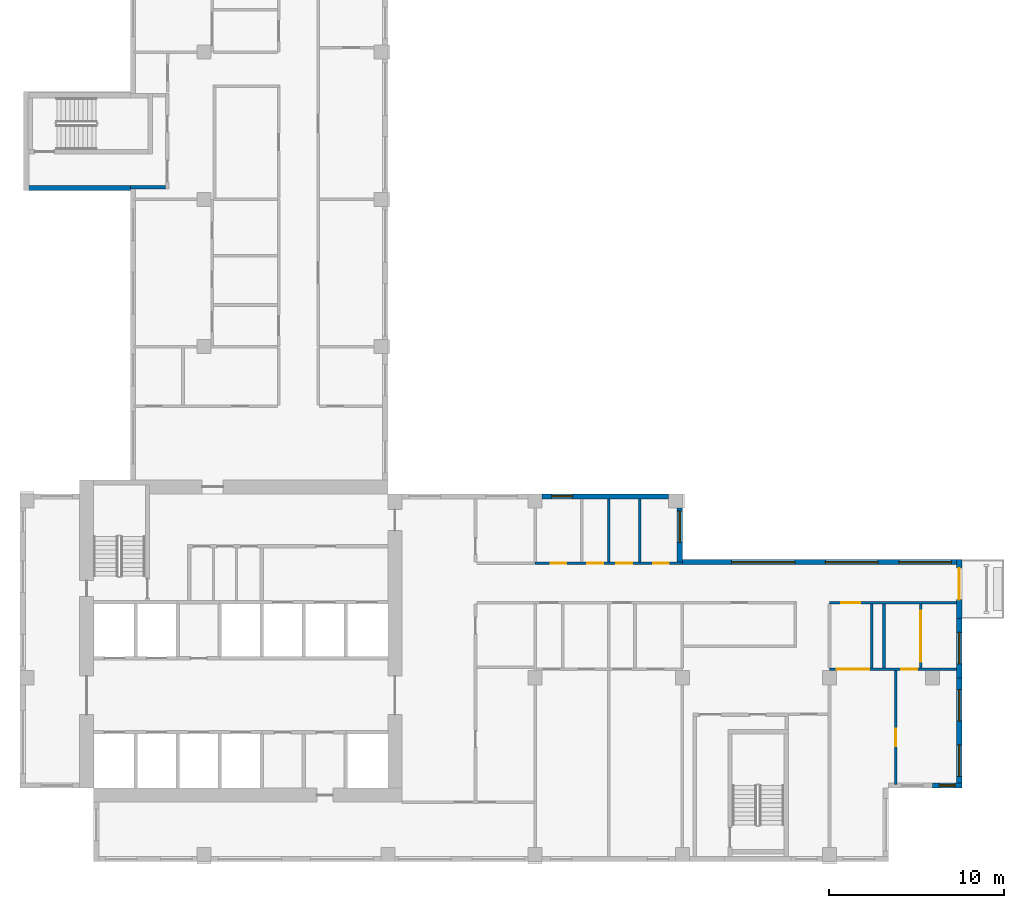
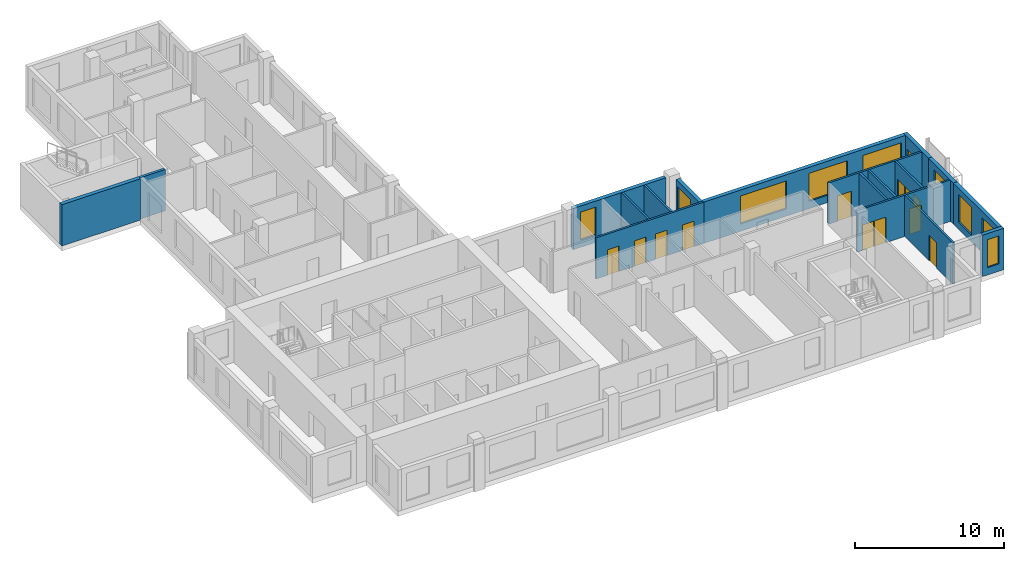
# One storey, part 5 of 11: 18 walls, 13 doors, 9 windows, 22 openings.
"""IFC4 building model written with IfcOpenShell, lengths in metres."""

from ifc_helpers import new_model, si_unit, direction, frame, frame_2d, origin, place, context, subcontext, project, spatial, rectangle, extrude, source, transform, mapped, material, layer, layer_set, type_object, element, fill, save


model = new_model("IFC4")

# Units and contexts
model_context = context("Model", 3, precision=1e-05, world=origin(), true_north=direction((0.0, 1.0)))
body_context = subcontext(model_context, "Body", "Model", "MODEL_VIEW")
ifc_project = project(units=[si_unit("LENGTHUNIT", "METRE"), si_unit("AREAUNIT", "SQUARE_METRE"), si_unit("VOLUMEUNIT", "CUBIC_METRE"), si_unit("PLANEANGLEUNIT", "RADIAN"), si_unit("MASSUNIT", "GRAM", prefix="KILO")], contexts=[model_context])

# Site, building, storey
site_placement = place(None, origin())
site = spatial("IfcSite", under=ifc_project, at=site_placement, CompositionType="ELEMENT")
building_placement = place(site_placement, origin())
building = spatial("IfcBuilding", under=site, at=building_placement, Name="Aurelian Terraces", CompositionType="ELEMENT")
storey_placement = place(building_placement, frame((0.0, 0.0, 265.2)))
storey = spatial("IfcBuildingStorey", under=building, at=storey_placement, Name="L61", CompositionType="ELEMENT", Elevation=265.2)

# Wall, opening, window
ifc_material_1 = material(Name="Terracotta rainscreen cladding", Category="masonry")
ifc_layer_1 = layer(ifc_material_1, 0.3)
ifc_layer_set_1 = layer_set([ifc_layer_1], Name="EW-300")
wall_type_1 = type_object("IfcWallType", Name="EW-300", PredefinedType="STANDARD", material=ifc_layer_set_1)
shared_shape_1 = source(origin(), body_context, "Body", "SweptSolid", [
    extrude(rectangle(XDim=1.68, YDim=0.3, at=frame_2d((0.84, 0.0))), origin(), (0.0, 0.0, 1.0), 3.4),
])
wall_1_placement = place(storey_placement, frame((52.08, 4.35, 0.0), z_axis=(0.0, 0.0, 1.0), x_axis=(1.0, 0.0, 0.0)))
wall_1 = element("IfcWall", 1, at=wall_1_placement, inside=storey, type_object=wall_type_1, Name="External wall L61 F03.9", PredefinedType="STANDARD", context=body_context, shape_type="MappedRepresentation", body=[
    mapped(shared_shape_1, transform((0.0, 0.0, 0.0), scale=1.0)),
])
shared_shape_2 = source(origin(), body_context, "Body", "SweptSolid", [
    extrude(rectangle(XDim=0.9, YDim=2.3, at=frame_2d((0.45, 1.15))), frame((0.0, 0.16, 0.0), z_axis=(0.0, -1.0, 0.0), x_axis=(1.0, 0.0, 0.0)), (0.0, 0.0, 1.0), 0.32),
])
opening_1_placement = place(wall_1_placement, frame((0.39, 0.0, 0.6)))
opening_1 = element("IfcOpeningElement", 2, at=opening_1_placement, cuts=wall_1, Name="Opening W0923", PredefinedType="OPENING", context=body_context, shape_type="MappedRepresentation", body=[
    mapped(shared_shape_2, transform((0.0, 0.0, 0.0), scale=1.0)),
])
ifc_material_2 = material(Name="Clear glazing", Category="glass")
window_type_1 = type_object("IfcWindowType", Name="W-900x2300", PartitioningType="SINGLE_PANEL", PredefinedType="WINDOW", material=ifc_material_2)
shared_shape_3 = source(origin(), body_context, "Body", "SweptSolid", [
    extrude(rectangle(XDim=0.9, YDim=2.3, at=frame_2d((0.45, 1.15))), frame((0.0, 0.03, 0.0), z_axis=(0.0, -1.0, 0.0), x_axis=(1.0, 0.0, 0.0)), (0.0, 0.0, 1.0), 0.06),
])
window_1_placement = place(opening_1_placement, origin())
window_1 = element("IfcWindow", 3, at=window_1_placement, inside=storey, type_object=window_type_1, Name="Window L61 L61-F03-09-P0", OverallHeight=2.3, OverallWidth=0.9, PartitioningType="SINGLE_PANEL", PredefinedType="WINDOW", context=body_context, shape_type="MappedRepresentation", body=[
    mapped(shared_shape_3, transform((0.0, 0.0, 0.0), scale=1.0)),
])
fill(opening_1, window_1)

# Wall
ifc_material_3 = material(Name="Concrete fc' 40 MPa", Category="concrete")
ifc_layer_2 = layer(ifc_material_3, 0.3)
ifc_layer_set_2 = layer_set([ifc_layer_2], Name="STAIR BAY WALL 300")
wall_type_2 = type_object("IfcWallType", Name="STAIR BAY WALL 300", PredefinedType="SOLIDWALL", material=ifc_layer_set_2)
shared_shape_4 = source(origin(), body_context, "Body", "SweptSolid", [
    extrude(rectangle(XDim=6.1, YDim=0.3, at=frame_2d((3.05, 0.0))), origin(), (0.0, 0.0, 1.0), 3.4),
])
wall_2_placement = place(storey_placement, frame((0.2, 38.45, 0.0), z_axis=(0.0, 0.0, 1.0), x_axis=(1.0, 0.0, 0.0)))
element("IfcWall", 4, at=wall_2_placement, inside=storey, type_object=wall_type_2, Name="Stair bay wall L61 F15.28", PredefinedType="SOLIDWALL", context=body_context, shape_type="MappedRepresentation", body=[
    mapped(shared_shape_4, transform((0.0, 0.0, 0.0), scale=1.0)),
])

# Wall, openings, windows
shared_shape_5 = source(origin(), body_context, "Body", "SweptSolid", [
    extrude(rectangle(XDim=6.3, YDim=0.3, at=frame_2d((3.15, 0.0))), origin(), (0.0, 0.0, 1.0), 3.4),
])
wall_3_placement = place(storey_placement, frame((53.61, 4.2, 0.0), z_axis=(0.0, 0.0, 1.0), x_axis=(0.0, 1.0, 0.0)))
wall_3 = element("IfcWall", 5, at=wall_3_placement, inside=storey, type_object=wall_type_1, Name="External wall L61 F04.10", PredefinedType="STANDARD", context=body_context, shape_type="MappedRepresentation", body=[
    mapped(shared_shape_5, transform((0.0, 0.0, 0.0), scale=1.0)),
])
shared_shape_6 = source(origin(), body_context, "Body", "SweptSolid", [
    extrude(rectangle(XDim=1.8, YDim=2.3, at=frame_2d((0.9, 1.15))), frame((0.0, 0.16, 0.0), z_axis=(0.0, -1.0, 0.0), x_axis=(1.0, 0.0, 0.0)), (0.0, 0.0, 1.0), 0.32),
])
opening_2_placement = place(wall_3_placement, frame((0.675, 0.0, 0.6)))
opening_2 = element("IfcOpeningElement", 6, at=opening_2_placement, cuts=wall_3, Name="Opening W1823", PredefinedType="OPENING", context=body_context, shape_type="MappedRepresentation", body=[
    mapped(shared_shape_6, transform((0.0, 0.0, 0.0), scale=1.0)),
])
opening_3_placement = place(wall_3_placement, frame((3.825, 0.0, 0.6)))
opening_3 = element("IfcOpeningElement", 7, at=opening_3_placement, cuts=wall_3, Name="Opening W1823", PredefinedType="OPENING", context=body_context, shape_type="MappedRepresentation", body=[
    mapped(shared_shape_6, transform((0.0, 0.0, 0.0), scale=1.0)),
])
window_type_2 = type_object("IfcWindowType", Name="W-1800x2300", PartitioningType="SINGLE_PANEL", PredefinedType="WINDOW", material=ifc_material_2)
shared_shape_7 = source(origin(), body_context, "Body", "SweptSolid", [
    extrude(rectangle(XDim=1.8, YDim=2.3, at=frame_2d((0.9, 1.15))), frame((0.0, 0.03, 0.0), z_axis=(0.0, -1.0, 0.0), x_axis=(1.0, 0.0, 0.0)), (0.0, 0.0, 1.0), 0.06),
])
window_2_placement = place(opening_2_placement, origin())
window_2 = element("IfcWindow", 8, at=window_2_placement, inside=storey, type_object=window_type_2, Name="Window L61 L61-F04-10-0", OverallHeight=2.3, OverallWidth=1.8, PartitioningType="SINGLE_PANEL", PredefinedType="WINDOW", context=body_context, shape_type="MappedRepresentation", body=[
    mapped(shared_shape_7, transform((0.0, 0.0, 0.0), scale=1.0)),
])
fill(opening_2, window_2)
window_3_placement = place(opening_3_placement, origin())
window_3 = element("IfcWindow", 9, at=window_3_placement, inside=storey, type_object=window_type_2, Name="Window L61 L61-F04-10-1", OverallHeight=2.3, OverallWidth=1.8, PartitioningType="SINGLE_PANEL", PredefinedType="WINDOW", context=body_context, shape_type="MappedRepresentation", body=[
    mapped(shared_shape_7, transform((0.0, 0.0, 0.0), scale=1.0)),
])
fill(opening_3, window_3)

# Wall, opening, window
shared_shape_8 = source(origin(), body_context, "Body", "SweptSolid", [
    extrude(rectangle(XDim=3.375, YDim=0.3, at=frame_2d((1.6875, 0.0))), origin(), (0.0, 0.0, 1.0), 3.4),
])
wall_4_placement = place(storey_placement, frame((53.61, 10.5, 0.0), z_axis=(0.0, 0.0, 1.0), x_axis=(0.0, 1.0, 0.0)))
wall_4 = element("IfcWall", 10, at=wall_4_placement, inside=storey, type_object=wall_type_1, Name="External wall L61 F04.11", PredefinedType="STANDARD", context=body_context, shape_type="MappedRepresentation", body=[
    mapped(shared_shape_8, transform((0.0, 0.0, 0.0), scale=1.0)),
])
opening_4_placement = place(wall_4_placement, frame((0.7875, 0.0, 0.6)))
opening_4 = element("IfcOpeningElement", 11, at=opening_4_placement, cuts=wall_4, Name="Opening W1823", PredefinedType="OPENING", context=body_context, shape_type="MappedRepresentation", body=[
    mapped(shared_shape_6, transform((0.0, 0.0, 0.0), scale=1.0)),
])
window_4_placement = place(opening_4_placement, origin())
window_4 = element("IfcWindow", 12, at=window_4_placement, inside=storey, type_object=window_type_2, Name="Window L61 L61-F04-11-0", OverallHeight=2.3, OverallWidth=1.8, PartitioningType="SINGLE_PANEL", PredefinedType="WINDOW", context=body_context, shape_type="MappedRepresentation", body=[
    mapped(shared_shape_7, transform((0.0, 0.0, 0.0), scale=1.0)),
])
fill(opening_4, window_4)

# Wall, opening, door
wall_5_placement = place(storey_placement, frame((53.61, 13.875, 0.0), z_axis=(0.0, 0.0, 1.0), x_axis=(0.0, 1.0, 0.0)))
wall_5 = element("IfcWall", 13, at=wall_5_placement, inside=storey, type_object=wall_type_1, Name="External wall L61 F04.12", PredefinedType="STANDARD", context=body_context, shape_type="MappedRepresentation", body=[
    mapped(shared_shape_8, transform((0.0, 0.0, 0.0), scale=1.0)),
])
shared_shape_9 = source(origin(), body_context, "Body", "SweptSolid", [
    extrude(rectangle(XDim=1.8, YDim=2.4, at=frame_2d((0.9, 1.2))), frame((0.0, 0.16, 0.0), z_axis=(0.0, -1.0, 0.0), x_axis=(1.0, 0.0, 0.0)), (0.0, 0.0, 1.0), 0.32),
])
opening_5_placement = place(wall_5_placement, frame((1.0875, 0.0, 0.0)))
opening_5 = element("IfcOpeningElement", 14, at=opening_5_placement, cuts=wall_5, Name="Opening 86101", PredefinedType="OPENING", context=body_context, shape_type="MappedRepresentation", body=[
    mapped(shared_shape_9, transform((0.0, 0.0, 0.0), scale=1.0)),
])
door_type_1 = type_object("IfcDoorType", Name="BD-1800x2400", OperationType="SLIDING_TO_LEFT", PredefinedType="DOOR", material=ifc_material_2)
shared_shape_10 = source(origin(), body_context, "Body", "SweptSolid", [
    extrude(rectangle(XDim=1.8, YDim=2.4, at=frame_2d((0.9, 1.2))), frame((0.0, 0.025, 0.0), z_axis=(0.0, -1.0, 0.0), x_axis=(1.0, 0.0, 0.0)), (0.0, 0.0, 1.0), 0.05),
])
door_1_placement = place(opening_5_placement, origin())
door_1 = element("IfcDoor", 15, at=door_1_placement, inside=storey, type_object=door_type_1, Name="Balcony door L61 F04.12", OperationType="SLIDING_TO_LEFT", OverallHeight=2.4, OverallWidth=1.8, PredefinedType="DOOR", context=body_context, shape_type="MappedRepresentation", body=[
    mapped(shared_shape_10, transform((0.0, 0.0, 0.0), scale=1.0)),
])
fill(opening_5, door_1)

# Wall, openings, windows
shared_shape_11 = source(origin(), body_context, "Body", "SweptSolid", [
    extrude(rectangle(XDim=15.96, YDim=0.3, at=frame_2d((7.98, 0.0))), origin(), (0.0, 0.0, 1.0), 3.4),
])
wall_6_placement = place(storey_placement, frame((53.76, 17.1, 0.0), z_axis=(0.0, 0.0, 1.0), x_axis=(-1.0, 0.0, 0.0)))
wall_6 = element("IfcWall", 16, at=wall_6_placement, inside=storey, type_object=wall_type_1, Name="External wall L61 F05.13", PredefinedType="STANDARD", context=body_context, shape_type="MappedRepresentation", body=[
    mapped(shared_shape_11, transform((0.0, 0.0, 0.0), scale=1.0)),
])
shared_shape_12 = source(origin(), body_context, "Body", "SweptSolid", [
    extrude(rectangle(XDim=3.0, YDim=2.3, at=frame_2d((1.5, 1.15))), frame((0.0, 0.16, 0.0), z_axis=(0.0, -1.0, 0.0), x_axis=(1.0, 0.0, 0.0)), (0.0, 0.0, 1.0), 0.32),
])
opening_6_placement = place(wall_6_placement, frame((0.6, 0.0, 0.6)))
opening_6 = element("IfcOpeningElement", 17, at=opening_6_placement, cuts=wall_6, Name="Opening W3023", PredefinedType="OPENING", context=body_context, shape_type="MappedRepresentation", body=[
    mapped(shared_shape_12, transform((0.0, 0.0, 0.0), scale=1.0)),
])
opening_7_placement = place(wall_6_placement, frame((4.8, 0.0, 0.6)))
opening_7 = element("IfcOpeningElement", 18, at=opening_7_placement, cuts=wall_6, Name="Opening W3023", PredefinedType="OPENING", context=body_context, shape_type="MappedRepresentation", body=[
    mapped(shared_shape_12, transform((0.0, 0.0, 0.0), scale=1.0)),
])
shared_shape_13 = source(origin(), body_context, "Body", "SweptSolid", [
    extrude(rectangle(XDim=3.6, YDim=2.3, at=frame_2d((1.8, 1.15))), frame((0.0, 0.16, 0.0), z_axis=(0.0, -1.0, 0.0), x_axis=(1.0, 0.0, 0.0)), (0.0, 0.0, 1.0), 0.32),
])
opening_8_placement = place(wall_6_placement, frame((9.54, 0.0, 0.6)))
opening_8 = element("IfcOpeningElement", 19, at=opening_8_placement, cuts=wall_6, Name="Opening W3623", PredefinedType="OPENING", context=body_context, shape_type="MappedRepresentation", body=[
    mapped(shared_shape_13, transform((0.0, 0.0, 0.0), scale=1.0)),
])
window_type_3 = type_object("IfcWindowType", Name="W-3600x2300", PartitioningType="SINGLE_PANEL", PredefinedType="WINDOW", material=ifc_material_2)
shared_shape_14 = source(origin(), body_context, "Body", "SweptSolid", [
    extrude(rectangle(XDim=3.6, YDim=2.3, at=frame_2d((1.8, 1.15))), frame((0.0, 0.03, 0.0), z_axis=(0.0, -1.0, 0.0), x_axis=(1.0, 0.0, 0.0)), (0.0, 0.0, 1.0), 0.06),
])
window_5_placement = place(opening_8_placement, origin())
window_5 = element("IfcWindow", 20, at=window_5_placement, inside=storey, type_object=window_type_3, Name="Window L61 L61-F05-13-2", OverallHeight=2.3, OverallWidth=3.6, PartitioningType="SINGLE_PANEL", PredefinedType="WINDOW", context=body_context, shape_type="MappedRepresentation", body=[
    mapped(shared_shape_14, transform((0.0, 0.0, 0.0), scale=1.0)),
])
fill(opening_8, window_5)
window_type_4 = type_object("IfcWindowType", Name="W-3000x2300", PartitioningType="SINGLE_PANEL", PredefinedType="WINDOW", material=ifc_material_2)
shared_shape_15 = source(origin(), body_context, "Body", "SweptSolid", [
    extrude(rectangle(XDim=3.0, YDim=2.3, at=frame_2d((1.5, 1.15))), frame((0.0, 0.03, 0.0), z_axis=(0.0, -1.0, 0.0), x_axis=(1.0, 0.0, 0.0)), (0.0, 0.0, 1.0), 0.06),
])
window_6_placement = place(opening_6_placement, origin())
window_6 = element("IfcWindow", 21, at=window_6_placement, inside=storey, type_object=window_type_4, Name="Window L61 L61-F05-13-0", OverallHeight=2.3, OverallWidth=3.0, PartitioningType="SINGLE_PANEL", PredefinedType="WINDOW", context=body_context, shape_type="MappedRepresentation", body=[
    mapped(shared_shape_15, transform((0.0, 0.0, 0.0), scale=1.0)),
])
fill(opening_6, window_6)
window_7_placement = place(opening_7_placement, origin())
window_7 = element("IfcWindow", 22, at=window_7_placement, inside=storey, type_object=window_type_4, Name="Window L61 L61-F05-13-1", OverallHeight=2.3, OverallWidth=3.0, PartitioningType="SINGLE_PANEL", PredefinedType="WINDOW", context=body_context, shape_type="MappedRepresentation", body=[
    mapped(shared_shape_15, transform((0.0, 0.0, 0.0), scale=1.0)),
])
fill(opening_7, window_7)

# Wall, opening, window
shared_shape_16 = source(origin(), body_context, "Body", "SweptSolid", [
    extrude(rectangle(XDim=7.2, YDim=0.3, at=frame_2d((3.6, 0.0))), origin(), (0.0, 0.0, 1.0), 3.4),
])
wall_7_placement = place(storey_placement, frame((37.0, 20.85, 0.0), z_axis=(0.0, 0.0, 1.0), x_axis=(-1.0, 0.0, 0.0)))
wall_7 = element("IfcWall", 23, at=wall_7_placement, inside=storey, type_object=wall_type_1, Name="External wall L61 F07.15", PredefinedType="STANDARD", context=body_context, shape_type="MappedRepresentation", body=[
    mapped(shared_shape_16, transform((0.0, 0.0, 0.0), scale=1.0)),
])
shared_shape_17 = source(origin(), body_context, "Body", "SweptSolid", [
    extrude(rectangle(XDim=1.2, YDim=2.3, at=frame_2d((0.6, 1.15))), frame((0.0, 0.16, 0.0), z_axis=(0.0, -1.0, 0.0), x_axis=(1.0, 0.0, 0.0)), (0.0, 0.0, 1.0), 0.32),
])
opening_9_placement = place(wall_7_placement, frame((5.454, 0.0, 0.6)))
opening_9 = element("IfcOpeningElement", 24, at=opening_9_placement, cuts=wall_7, Name="Opening W1223", PredefinedType="OPENING", context=body_context, shape_type="MappedRepresentation", body=[
    mapped(shared_shape_17, transform((0.0, 0.0, 0.0), scale=1.0)),
])
window_type_5 = type_object("IfcWindowType", Name="W-1200x2300", PartitioningType="SINGLE_PANEL", PredefinedType="WINDOW", material=ifc_material_2)
shared_shape_18 = source(origin(), body_context, "Body", "SweptSolid", [
    extrude(rectangle(XDim=1.2, YDim=2.3, at=frame_2d((0.6, 1.15))), frame((0.0, 0.03, 0.0), z_axis=(0.0, -1.0, 0.0), x_axis=(1.0, 0.0, 0.0)), (0.0, 0.0, 1.0), 0.06),
])
window_8_placement = place(opening_9_placement, origin())
window_8 = element("IfcWindow", 25, at=window_8_placement, inside=storey, type_object=window_type_5, Name="Window L61 L61-F07-15-1", OverallHeight=2.3, OverallWidth=1.2, PartitioningType="SINGLE_PANEL", PredefinedType="WINDOW", context=body_context, shape_type="MappedRepresentation", body=[
    mapped(shared_shape_18, transform((0.0, 0.0, 0.0), scale=1.0)),
])
fill(opening_9, window_8)

shared_shape_19 = source(origin(), body_context, "Body", "SweptSolid", [
    extrude(rectangle(XDim=3.1, YDim=0.3, at=frame_2d((1.55, 0.0))), origin(), (0.0, 0.0, 1.0), 3.4),
])
wall_8_placement = place(storey_placement, frame((37.65, 17.1, 0.0), z_axis=(0.0, 0.0, 1.0), x_axis=(0.0, 1.0, 0.0)))
wall_8 = element("IfcWall", 26, at=wall_8_placement, inside=storey, type_object=wall_type_1, Name="External wall L61 F06.14", PredefinedType="STANDARD", context=body_context, shape_type="MappedRepresentation", body=[
    mapped(shared_shape_19, transform((0.0, 0.0, 0.0), scale=1.0)),
])
opening_10_placement = place(wall_8_placement, frame((1.125, 0.0, 0.6)))
opening_10 = element("IfcOpeningElement", 27, at=opening_10_placement, cuts=wall_8, Name="Opening W1823", PredefinedType="OPENING", context=body_context, shape_type="MappedRepresentation", body=[
    mapped(shared_shape_6, transform((0.0, 0.0, 0.0), scale=1.0)),
])
window_9_placement = place(opening_10_placement, origin())
window_9 = element("IfcWindow", 28, at=window_9_placement, inside=storey, type_object=window_type_2, Name="Window L61 L61-F06-14-0", OverallHeight=2.3, OverallWidth=1.8, PartitioningType="SINGLE_PANEL", PredefinedType="WINDOW", context=body_context, shape_type="MappedRepresentation", body=[
    mapped(shared_shape_7, transform((0.0, 0.0, 0.0), scale=1.0)),
])
fill(opening_10, window_9)

# Walls
ifc_material_4 = material(Name="Gypsum board on steel studs", Category="steel")
ifc_layer_3 = layer(ifc_material_4, 0.2)
ifc_layer_set_3 = layer_set([ifc_layer_3], Name="Core partition 200")
wall_type_3 = type_object("IfcWallType", Name="Core partition 200", PredefinedType="PARTITIONING", material=ifc_layer_set_3)
shared_shape_20 = source(origin(), body_context, "Body", "SweptSolid", [
    extrude(rectangle(XDim=2.0, YDim=0.2, at=frame_2d((1.0, 0.0))), origin(), (0.0, 0.0, 1.0), 3.4),
])
wall_9_placement = place(storey_placement, frame((6.3, 38.5, 0.0), z_axis=(0.0, 0.0, 1.0), x_axis=(1.0, 0.0, 0.0)))
element("IfcWall", 29, at=wall_9_placement, inside=storey, type_object=wall_type_3, Name="L61 core wall ST-S3-VW", PredefinedType="PARTITIONING", context=body_context, shape_type="MappedRepresentation", body=[
    mapped(shared_shape_20, transform((0.0, 0.0, 0.0), scale=1.0)),
])
ifc_layer_4 = layer(ifc_material_4, 0.15)
ifc_layer_set_4 = layer_set([ifc_layer_4], Name="Partition 150")
wall_type_4 = type_object("IfcWallType", Name="Partition 150", PredefinedType="PARTITIONING", material=ifc_layer_set_4)
shared_shape_21 = source(origin(), body_context, "Body", "SweptSolid", [
    extrude(rectangle(XDim=3.6, YDim=0.15, at=frame_2d((1.8, 0.0))), origin(), (0.0, 0.0, 1.0), 3.4),
])
wall_10_placement = place(storey_placement, frame((35.3634, 20.7, 0.0), z_axis=(0.0, 0.0, 1.0), x_axis=(0.0, -1.0, 0.0)))
element("IfcWall", 30, at=wall_10_placement, inside=storey, type_object=wall_type_4, Name="Partition", PredefinedType="PARTITIONING", context=body_context, shape_type="MappedRepresentation", body=[
    mapped(shared_shape_21, transform((0.0, 0.0, 0.0), scale=1.0)),
])
ifc_layer_5 = layer(ifc_material_4, 0.15)
ifc_layer_set_5 = layer_set([ifc_layer_5], Name="Fire partition 150")
wall_type_5 = type_object("IfcWallType", Name="Fire partition 150", PredefinedType="PARTITIONING", material=ifc_layer_set_5)
wall_11_placement = place(storey_placement, frame((33.6, 17.1, 0.0), z_axis=(0.0, 0.0, 1.0), x_axis=(0.0, 1.0, 0.0)))
element("IfcWall", 31, at=wall_11_placement, inside=storey, type_object=wall_type_5, Name="Party wall", PredefinedType="PARTITIONING", context=body_context, shape_type="MappedRepresentation", body=[
    mapped(shared_shape_21, transform((0.0, 0.0, 0.0), scale=1.0)),
])

# Wall, openings, doors
shared_shape_22 = source(origin(), body_context, "Body", "SweptSolid", [
    extrude(rectangle(XDim=8.4, YDim=0.15, at=frame_2d((4.2, 0.0))), origin(), (0.0, 0.0, 1.0), 3.4),
])
wall_12_placement = place(storey_placement, frame((29.4, 17.025, 0.0), z_axis=(0.0, 0.0, 1.0), x_axis=(1.0, 0.0, 0.0)))
wall_12 = element("IfcWall", 32, at=wall_12_placement, inside=storey, type_object=wall_type_5, Name="Corridor wall", PredefinedType="PARTITIONING", context=body_context, shape_type="MappedRepresentation", body=[
    mapped(shared_shape_22, transform((0.0, 0.0, 0.0), scale=1.0)),
])
shared_shape_23 = source(origin(), body_context, "Body", "SweptSolid", [
    extrude(rectangle(XDim=0.9, YDim=2.1, at=frame_2d((0.45, 1.05))), frame((0.0, 0.085, 0.0), z_axis=(0.0, -1.0, 0.0), x_axis=(1.0, 0.0, 0.0)), (0.0, 0.0, 1.0), 0.17),
])
opening_11_placement = place(wall_12_placement, frame((0.8835, 0.0, 0.0)))
opening_11 = element("IfcOpeningElement", 33, at=opening_11_placement, cuts=wall_12, Name="Opening 761018", PredefinedType="OPENING", context=body_context, shape_type="MappedRepresentation", body=[
    mapped(shared_shape_23, transform((0.0, 0.0, 0.0), scale=1.0)),
])
opening_12_placement = place(wall_12_placement, frame((2.9835, 0.0, 0.0)))
opening_12 = element("IfcOpeningElement", 34, at=opening_12_placement, cuts=wall_12, Name="Opening 761019", PredefinedType="OPENING", context=body_context, shape_type="MappedRepresentation", body=[
    mapped(shared_shape_23, transform((0.0, 0.0, 0.0), scale=1.0)),
])
opening_13_placement = place(wall_12_placement, frame((4.6317, 0.0, 0.0)))
opening_13 = element("IfcOpeningElement", 35, at=opening_13_placement, cuts=wall_12, Name="Opening 761020", PredefinedType="OPENING", context=body_context, shape_type="MappedRepresentation", body=[
    mapped(shared_shape_23, transform((0.0, 0.0, 0.0), scale=1.0)),
])
opening_14_placement = place(wall_12_placement, frame((6.7317, 0.0, 0.0)))
opening_14 = element("IfcOpeningElement", 36, at=opening_14_placement, cuts=wall_12, Name="Opening 761021", PredefinedType="OPENING", context=body_context, shape_type="MappedRepresentation", body=[
    mapped(shared_shape_23, transform((0.0, 0.0, 0.0), scale=1.0)),
])
ifc_material_5 = material(Name="Steel door leaf", Category="steel")
door_type_2 = type_object("IfcDoorType", Name="Entrance fire door 900x2100 left", OperationType="SINGLE_SWING_LEFT", PredefinedType="DOOR", material=ifc_material_5)
shared_shape_24 = source(origin(), body_context, "Body", "SweptSolid", [
    extrude(rectangle(XDim=0.9, YDim=2.1, at=frame_2d((0.45, 1.05))), frame((0.0, 0.025, 0.0), z_axis=(0.0, -1.0, 0.0), x_axis=(1.0, 0.0, 0.0)), (0.0, 0.0, 1.0), 0.05),
])
door_2_placement = place(opening_11_placement, origin())
door_2 = element("IfcDoor", 37, at=door_2_placement, inside=storey, type_object=door_type_2, Name="Door 761018", OperationType="SINGLE_SWING_LEFT", OverallHeight=2.1, OverallWidth=0.9, PredefinedType="DOOR", context=body_context, shape_type="MappedRepresentation", body=[
    mapped(shared_shape_24, transform((0.0, 0.0, 0.0), scale=1.0)),
])
fill(opening_11, door_2)
door_type_3 = type_object("IfcDoorType", Name="Entrance fire door 900x2100 right", OperationType="SINGLE_SWING_RIGHT", PredefinedType="DOOR", material=ifc_material_5)
door_3_placement = place(opening_12_placement, origin())
door_3 = element("IfcDoor", 38, at=door_3_placement, inside=storey, type_object=door_type_3, Name="Door 761019", OperationType="SINGLE_SWING_RIGHT", OverallHeight=2.1, OverallWidth=0.9, PredefinedType="DOOR", context=body_context, shape_type="MappedRepresentation", body=[
    mapped(shared_shape_24, transform((0.0, 0.0, 0.0), scale=1.0)),
])
fill(opening_12, door_3)
door_4_placement = place(opening_13_placement, origin())
door_4 = element("IfcDoor", 39, at=door_4_placement, inside=storey, type_object=door_type_2, Name="Door 761020", OperationType="SINGLE_SWING_LEFT", OverallHeight=2.1, OverallWidth=0.9, PredefinedType="DOOR", context=body_context, shape_type="MappedRepresentation", body=[
    mapped(shared_shape_24, transform((0.0, 0.0, 0.0), scale=1.0)),
])
fill(opening_13, door_4)
door_5_placement = place(opening_14_placement, origin())
door_5 = element("IfcDoor", 40, at=door_5_placement, inside=storey, type_object=door_type_3, Name="Door 761021", OperationType="SINGLE_SWING_RIGHT", OverallHeight=2.1, OverallWidth=0.9, PredefinedType="DOOR", context=body_context, shape_type="MappedRepresentation", body=[
    mapped(shared_shape_24, transform((0.0, 0.0, 0.0), scale=1.0)),
])
fill(opening_14, door_5)

shared_shape_25 = source(origin(), body_context, "Body", "SweptSolid", [
    extrude(rectangle(XDim=7.26, YDim=0.15, at=frame_2d((3.63, 0.0))), origin(), (0.0, 0.0, 1.0), 3.4),
])
wall_13_placement = place(storey_placement, frame((53.46, 10.975, 0.0), z_axis=(0.0, 0.0, 1.0), x_axis=(-1.0, 0.0, 0.0)))
wall_13 = element("IfcWall", 41, at=wall_13_placement, inside=storey, type_object=wall_type_4, Name="Partition", PredefinedType="PARTITIONING", context=body_context, shape_type="MappedRepresentation", body=[
    mapped(shared_shape_25, transform((0.0, 0.0, 0.0), scale=1.0)),
])
opening_15_placement = place(wall_13_placement, frame((4.999, 0.0, 0.0)))
opening_15 = element("IfcOpeningElement", 42, at=opening_15_placement, cuts=wall_13, Name="Opening 761014", PredefinedType="OPENING", context=body_context, shape_type="MappedRepresentation", body=[
    mapped(shared_shape_23, transform((0.0, 0.0, 0.0), scale=1.0)),
])
opening_16_placement = place(wall_13_placement, frame((5.95, 0.0, 0.0)))
opening_16 = element("IfcOpeningElement", 43, at=opening_16_placement, cuts=wall_13, Name="Opening 761015", PredefinedType="OPENING", context=body_context, shape_type="MappedRepresentation", body=[
    mapped(shared_shape_23, transform((0.0, 0.0, 0.0), scale=1.0)),
])
opening_17_placement = place(wall_13_placement, frame((2.2639, 0.0, 0.0)))
opening_17 = element("IfcOpeningElement", 44, at=opening_17_placement, cuts=wall_13, Name="Opening 761016", PredefinedType="OPENING", context=body_context, shape_type="MappedRepresentation", body=[
    mapped(shared_shape_23, transform((0.0, 0.0, 0.0), scale=1.0)),
])
ifc_material_6 = material(Name="Timber door leaf", Category="wood")
door_type_4 = type_object("IfcDoorType", Name="Room door 900x2100 right", OperationType="SINGLE_SWING_RIGHT", PredefinedType="DOOR", material=ifc_material_6)
door_6_placement = place(opening_15_placement, origin())
door_6 = element("IfcDoor", 45, at=door_6_placement, inside=storey, type_object=door_type_4, Name="Door 761014", OperationType="SINGLE_SWING_RIGHT", OverallHeight=2.1, OverallWidth=0.9, PredefinedType="DOOR", context=body_context, shape_type="MappedRepresentation", body=[
    mapped(shared_shape_24, transform((0.0, 0.0, 0.0), scale=1.0)),
])
fill(opening_15, door_6)
door_type_5 = type_object("IfcDoorType", Name="Room door 900x2100 left", OperationType="SINGLE_SWING_LEFT", PredefinedType="DOOR", material=ifc_material_6)
door_7_placement = place(opening_16_placement, origin())
door_7 = element("IfcDoor", 46, at=door_7_placement, inside=storey, type_object=door_type_5, Name="Door 761015", OperationType="SINGLE_SWING_LEFT", OverallHeight=2.1, OverallWidth=0.9, PredefinedType="DOOR", context=body_context, shape_type="MappedRepresentation", body=[
    mapped(shared_shape_24, transform((0.0, 0.0, 0.0), scale=1.0)),
])
fill(opening_16, door_7)
door_8_placement = place(opening_17_placement, origin())
door_8 = element("IfcDoor", 47, at=door_8_placement, inside=storey, type_object=door_type_4, Name="Door 761016", OperationType="SINGLE_SWING_RIGHT", OverallHeight=2.1, OverallWidth=0.9, PredefinedType="DOOR", context=body_context, shape_type="MappedRepresentation", body=[
    mapped(shared_shape_24, transform((0.0, 0.0, 0.0), scale=1.0)),
])
fill(opening_17, door_8)

# Wall, opening, door
wall_14_placement = place(storey_placement, frame((53.46, 14.775, 0.0), z_axis=(0.0, 0.0, 1.0), x_axis=(-1.0, 0.0, 0.0)))
wall_14 = element("IfcWall", 48, at=wall_14_placement, inside=storey, type_object=wall_type_5, Name="Corridor wall", PredefinedType="PARTITIONING", context=body_context, shape_type="MappedRepresentation", body=[
    mapped(shared_shape_25, transform((0.0, 0.0, 0.0), scale=1.0)),
])
shared_shape_26 = source(origin(), body_context, "Body", "SweptSolid", [
    extrude(rectangle(XDim=1.1, YDim=2.1, at=frame_2d((0.55, 1.05))), frame((0.0, 0.085, 0.0), z_axis=(0.0, -1.0, 0.0), x_axis=(1.0, 0.0, 0.0)), (0.0, 0.0, 1.0), 0.17),
])
opening_18_placement = place(wall_14_placement, frame((5.5018, 0.0, 0.0)))
opening_18 = element("IfcOpeningElement", 49, at=opening_18_placement, cuts=wall_14, Name="Opening 761013", PredefinedType="OPENING", context=body_context, shape_type="MappedRepresentation", body=[
    mapped(shared_shape_26, transform((0.0, 0.0, 0.0), scale=1.0)),
])
door_type_6 = type_object("IfcDoorType", Name="Entrance fire door 1100x2100 left", OperationType="SINGLE_SWING_LEFT", PredefinedType="DOOR", material=ifc_material_5)
shared_shape_27 = source(origin(), body_context, "Body", "SweptSolid", [
    extrude(rectangle(XDim=1.1, YDim=2.1, at=frame_2d((0.55, 1.05))), frame((0.0, 0.025, 0.0), z_axis=(0.0, -1.0, 0.0), x_axis=(1.0, 0.0, 0.0)), (0.0, 0.0, 1.0), 0.05),
])
door_9_placement = place(opening_18_placement, origin())
door_9 = element("IfcDoor", 50, at=door_9_placement, inside=storey, type_object=door_type_6, Name="Door 761013", OperationType="SINGLE_SWING_LEFT", OverallHeight=2.1, OverallWidth=1.1, PredefinedType="DOOR", context=body_context, shape_type="MappedRepresentation", body=[
    mapped(shared_shape_27, transform((0.0, 0.0, 0.0), scale=1.0)),
])
fill(opening_18, door_9)

# Walls
shared_shape_28 = source(origin(), body_context, "Body", "SweptSolid", [
    extrude(rectangle(XDim=3.65, YDim=0.15, at=frame_2d((1.825, 0.0))), origin(), (0.0, 0.0, 1.0), 3.4),
])
for number, where, z_axis, x_axis, name in (
    (51, (48.6165, 11.05, 0.0), (0.0, 0.0, 1.0), (0.0, 1.0, 0.0), "Partition"),
    (52, (49.3093, 11.05, 0.0), (0.0, 0.0, 1.0), (0.0, 1.0, 0.0), "Partition"),
):
    element("IfcWall", number, at=place(storey_placement, frame(where, z_axis=z_axis, x_axis=x_axis)), inside=storey, type_object=wall_type_4, Name=name, PredefinedType="PARTITIONING", context=body_context, shape_type="MappedRepresentation", body=[
        mapped(shared_shape_28, transform((0.0, 0.0, 0.0), scale=1.0)),
    ])

# Wall, openings, doors
wall_15_placement = place(storey_placement, frame((51.4123, 11.05, 0.0), z_axis=(0.0, 0.0, 1.0), x_axis=(0.0, 1.0, 0.0)))
wall_15 = element("IfcWall", 53, at=wall_15_placement, inside=storey, type_object=wall_type_4, Name="Partition", PredefinedType="PARTITIONING", context=body_context, shape_type="MappedRepresentation", body=[
    mapped(shared_shape_28, transform((0.0, 0.0, 0.0), scale=1.0)),
])
opening_19_placement = place(wall_15_placement, frame((1.375, 0.0, 0.0)))
opening_19 = element("IfcOpeningElement", 54, at=opening_19_placement, cuts=wall_15, Name="Opening 761040", PredefinedType="OPENING", context=body_context, shape_type="MappedRepresentation", body=[
    mapped(shared_shape_23, transform((0.0, 0.0, 0.0), scale=1.0)),
])
opening_20_placement = place(wall_15_placement, frame((2.375, 0.0, 0.0)))
opening_20 = element("IfcOpeningElement", 55, at=opening_20_placement, cuts=wall_15, Name="Opening 761042", PredefinedType="OPENING", context=body_context, shape_type="MappedRepresentation", body=[
    mapped(shared_shape_23, transform((0.0, 0.0, 0.0), scale=1.0)),
])
opening_21_placement = place(wall_15_placement, frame((0.375, 0.0, 0.0)))
opening_21 = element("IfcOpeningElement", 56, at=opening_21_placement, cuts=wall_15, Name="Opening 761044", PredefinedType="OPENING", context=body_context, shape_type="MappedRepresentation", body=[
    mapped(shared_shape_23, transform((0.0, 0.0, 0.0), scale=1.0)),
])
door_10_placement = place(opening_19_placement, origin())
door_10 = element("IfcDoor", 57, at=door_10_placement, inside=storey, type_object=door_type_5, Name="Door 761040", OperationType="SINGLE_SWING_LEFT", OverallHeight=2.1, OverallWidth=0.9, PredefinedType="DOOR", context=body_context, shape_type="MappedRepresentation", body=[
    mapped(shared_shape_24, transform((0.0, 0.0, 0.0), scale=1.0)),
])
fill(opening_19, door_10)
door_11_placement = place(opening_20_placement, origin())
door_11 = element("IfcDoor", 58, at=door_11_placement, inside=storey, type_object=door_type_2, Name="Door 761042", OperationType="SINGLE_SWING_LEFT", OverallHeight=2.1, OverallWidth=0.9, PredefinedType="DOOR", context=body_context, shape_type="MappedRepresentation", body=[
    mapped(shared_shape_24, transform((0.0, 0.0, 0.0), scale=1.0)),
])
fill(opening_20, door_11)
door_12_placement = place(opening_21_placement, origin())
door_12 = element("IfcDoor", 59, at=door_12_placement, inside=storey, type_object=door_type_2, Name="Door 761044", OperationType="SINGLE_SWING_LEFT", OverallHeight=2.1, OverallWidth=0.9, PredefinedType="DOOR", context=body_context, shape_type="MappedRepresentation", body=[
    mapped(shared_shape_24, transform((0.0, 0.0, 0.0), scale=1.0)),
])
fill(opening_21, door_12)

# Wall, opening, door
shared_shape_29 = source(origin(), body_context, "Body", "SweptSolid", [
    extrude(rectangle(XDim=6.495, YDim=0.15, at=frame_2d((3.2475, 0.0))), origin(), (0.0, 0.0, 1.0), 3.4),
])
wall_16_placement = place(storey_placement, frame((49.98, 4.405, 0.0), z_axis=(0.0, 0.0, 1.0), x_axis=(0.0, 1.0, 0.0)))
wall_16 = element("IfcWall", 60, at=wall_16_placement, inside=storey, type_object=wall_type_4, Name="Partition", PredefinedType="PARTITIONING", context=body_context, shape_type="MappedRepresentation", body=[
    mapped(shared_shape_29, transform((0.0, 0.0, 0.0), scale=1.0)),
])
shared_shape_30 = source(origin(), body_context, "Body", "SweptSolid", [
    extrude(rectangle(XDim=1.0, YDim=2.1, at=frame_2d((0.5, 1.05))), frame((0.0, 0.085, 0.0), z_axis=(0.0, -1.0, 0.0), x_axis=(1.0, 0.0, 0.0)), (0.0, 0.0, 1.0), 0.17),
])
opening_22_placement = place(wall_16_placement, frame((2.195, 0.0, 0.0)))
opening_22 = element("IfcOpeningElement", 61, at=opening_22_placement, cuts=wall_16, Name="Opening 761017", PredefinedType="OPENING", context=body_context, shape_type="MappedRepresentation", body=[
    mapped(shared_shape_30, transform((0.0, 0.0, 0.0), scale=1.0)),
])
door_type_7 = type_object("IfcDoorType", Name="Room door 1000x2100 right", OperationType="SINGLE_SWING_RIGHT", PredefinedType="DOOR", material=ifc_material_6)
shared_shape_31 = source(origin(), body_context, "Body", "SweptSolid", [
    extrude(rectangle(XDim=1.0, YDim=2.1, at=frame_2d((0.5, 1.05))), frame((0.0, 0.025, 0.0), z_axis=(0.0, -1.0, 0.0), x_axis=(1.0, 0.0, 0.0)), (0.0, 0.0, 1.0), 0.05),
])
door_13_placement = place(opening_22_placement, origin())
door_13 = element("IfcDoor", 62, at=door_13_placement, inside=storey, type_object=door_type_7, Name="Door 761017", OperationType="SINGLE_SWING_RIGHT", OverallHeight=2.1, OverallWidth=1.0, PredefinedType="DOOR", context=body_context, shape_type="MappedRepresentation", body=[
    mapped(shared_shape_31, transform((0.0, 0.0, 0.0), scale=1.0)),
])
fill(opening_22, door_13)

save(model, "model.ifc")
